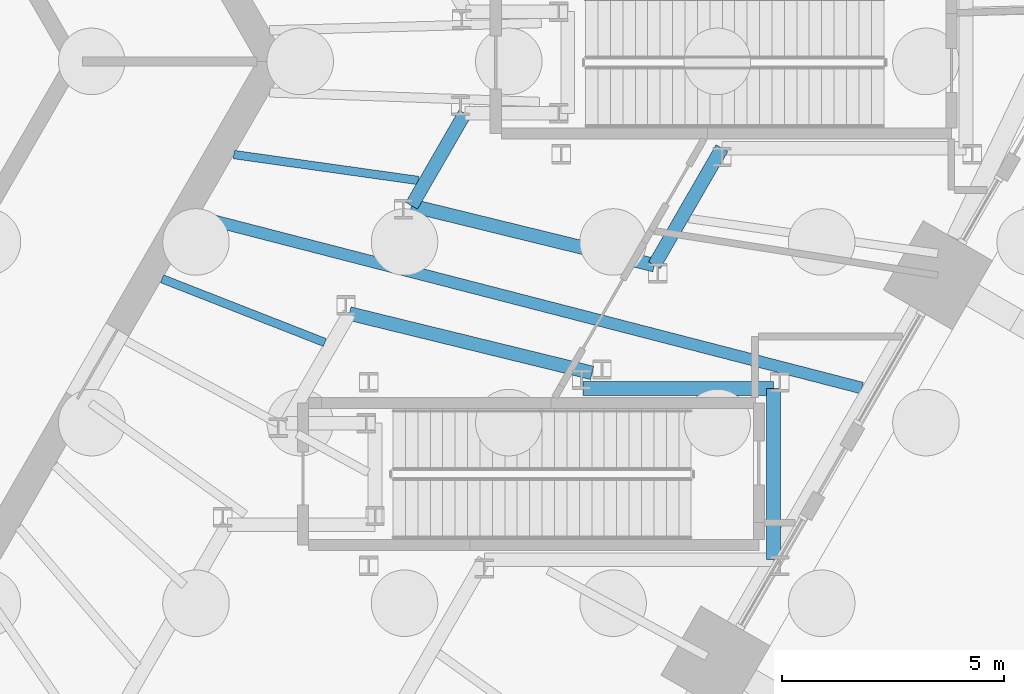
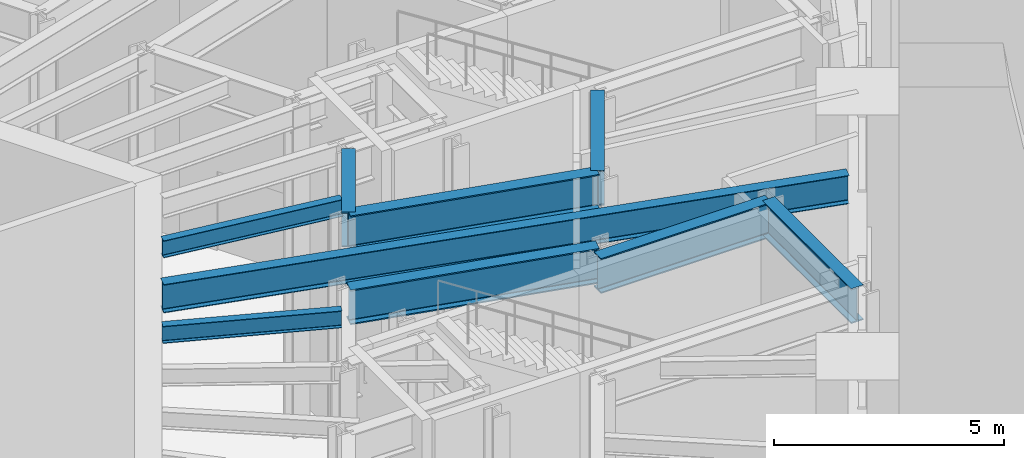
# One storey, part 8 of 43: 9 beams.
"""IFC4 building model written with IfcOpenShell, lengths in metres."""

import ifcopenshell
import ifcopenshell.guid

model = None  # the IFC model being written
_history = None  # IfcOwnerHistory: only IFC2X3 demands one
_inside = {}  # id of a spatial element -> (the spatial element, [elements in it])
_under = {}  # id of a project, library or spatial element -> (it, [spatial elements below it])
_declared = {}  # id of a project -> (the project, [libraries it declares])
_typed = {}  # id of a type object -> (the type object, [elements of that type])
_made_of = {}  # id of a material, layer set ... -> (it, [elements and type objects made of it])


def new_model(schema):
    """Start an empty IFC model of exactly this schema.

    Asked for "IFC4X3", IfcOpenShell would pick the latest addendum, in which some entities
    have other attributes; the version numbers below select the first issue.
    IFC2X3 requires an IfcOwnerHistory on every rooted entity: one is made here for all.
    """
    global model, _history
    if schema == "IFC4X3":
        model = ifcopenshell.file(schema_version=(4, 3, 0, 0))
    else:
        model = ifcopenshell.file(schema=schema)
    _inside.clear()
    _under.clear()
    _declared.clear()
    _typed.clear()
    _made_of.clear()
    _history = None
    if model.schema == "IFC2X3":
        org = make("IfcOrganization", Name="unknown")
        user = make(
            "IfcPersonAndOrganization",
            ThePerson=make("IfcPerson", FamilyName="unknown"),
            TheOrganization=org,
        )
        app = make(
            "IfcApplication",
            ApplicationDeveloper=org,
            Version="unknown",
            ApplicationFullName="unknown",
            ApplicationIdentifier="unknown",
        )
        _history = make(
            "IfcOwnerHistory",
            OwningUser=user,
            OwningApplication=app,
            ChangeAction="ADDED",
            CreationDate=0,
        )
    return model


def make(cls, **values):
    """One entity of the class cls with the attributes given. An attribute that is None is left unset."""
    return model.create_entity(
        cls, **{name: value for name, value in values.items() if value is not None}
    )


def rooted(cls, **values):
    """An entity with a GlobalId (a new one), such as an element, a storey or a relation."""
    return make(cls, GlobalId=ifcopenshell.guid.new(), OwnerHistory=_history, **values)


def si_unit(unit_type, name, prefix=None):
    """IfcSIUnit, for example si_unit("LENGTHUNIT", "METRE", prefix="MILLI")."""
    return make("IfcSIUnit", UnitType=unit_type, Prefix=prefix, Name=name)


def assignment(units):
    """IfcUnitAssignment: the units of a project."""
    return None if units is None else make("IfcUnitAssignment", Units=units)


def point(xyz):
    """IfcCartesianPoint."""
    return None if xyz is None else make("IfcCartesianPoint", Coordinates=xyz)


def direction(xyz):
    """IfcDirection."""
    return None if xyz is None else make("IfcDirection", DirectionRatios=xyz)


def frame(location, z_axis=None, x_axis=None):
    """IfcAxis2Placement3D, a coordinate frame: its origin and axes. An axis left out is left unset."""
    return make(
        "IfcAxis2Placement3D",
        Location=point(location),
        Axis=direction(z_axis),
        RefDirection=direction(x_axis),
    )


def frame_2d(location, x_axis=None):
    """IfcAxis2Placement2D, a coordinate frame in the plane: its origin and x axis."""
    return make(
        "IfcAxis2Placement2D", Location=point(location), RefDirection=direction(x_axis)
    )


def origin():
    """The frame at (0, 0, 0) with its axes left unset."""
    return frame((0.0, 0.0, 0.0))


def origin_2d():
    """The frame at (0, 0) in the plane with its x axis left unset."""
    return frame_2d((0.0, 0.0))


def place(relative_to, where):
    """IfcLocalPlacement: puts the frame where relative to a parent placement (None: the world)."""
    return make(
        "IfcLocalPlacement", PlacementRelTo=relative_to, RelativePlacement=where
    )


def context(
    kind, dimensions, precision=None, world=None, true_north=None, identifier=None
):
    """IfcGeometricRepresentationContext, for example the 3D "Model" context."""
    return make(
        "IfcGeometricRepresentationContext",
        ContextIdentifier=identifier,
        ContextType=kind,
        CoordinateSpaceDimension=dimensions,
        Precision=precision,
        WorldCoordinateSystem=world,
        TrueNorth=true_north,
    )


def subcontext(parent, identifier, kind, view, scale=None):
    """IfcGeometricRepresentationSubContext, for example "Body" below "Model"."""
    return make(
        "IfcGeometricRepresentationSubContext",
        ContextIdentifier=identifier,
        ContextType=kind,
        ParentContext=parent,
        TargetScale=scale,
        TargetView=view,
    )


def project(units=None, contexts=None):
    """IfcProject with its units and contexts."""
    return rooted(
        "IfcProject",
        Name="project",
        RepresentationContexts=contexts,
        UnitsInContext=assignment(units),
    )


def spatial(cls, under=None, at=None, **own):
    """A site, building, storey or space (cls), placed at a placement, below another one or the project."""
    s = rooted(cls, ObjectPlacement=at, **own)
    if under is not None:
        _under.setdefault(under.id(), (under, []))[1].append(s)
    return s


def profile(cls, at=None, kind="AREA", **sizes):
    """A parametric profile (cls). Its sizes go by their IFC names, for example OverallWidth=200.0."""
    return make(cls, ProfileType=kind, Position=at, **sizes)


def i_section(**sizes):
    """IfcIShapeProfileDef."""
    return profile("IfcIShapeProfileDef", **sizes)


def extrude(swept, where, along, depth):
    """IfcExtrudedAreaSolid: the profile swept, set in the frame where, extruded along a direction by depth."""
    return make(
        "IfcExtrudedAreaSolid",
        SweptArea=swept,
        Position=where,
        ExtrudedDirection=direction(along),
        Depth=depth,
    )


def shape(context_of_items, identifier, shape_type, items):
    """IfcShapeRepresentation: the items that make up one representation, for example the "Body"."""
    return make(
        "IfcShapeRepresentation",
        ContextOfItems=context_of_items,
        RepresentationIdentifier=identifier,
        RepresentationType=shape_type,
        Items=items,
    )


def material(Name=None, Category=None):
    """IfcMaterial."""
    return make("IfcMaterial", Name=Name, Category=Category)


def material_profile(
    of_material, cross_section, Name=None, Category=None, Priority=None
):
    """IfcMaterialProfile: a cross section and its material."""
    return make(
        "IfcMaterialProfile",
        Name=Name,
        Material=of_material,
        Profile=cross_section,
        Priority=Priority,
        Category=Category,
    )


def profile_set(profiles, Name=None, composite=None):
    """IfcMaterialProfileSet."""
    return make(
        "IfcMaterialProfileSet",
        Name=Name,
        MaterialProfiles=profiles,
        CompositeProfile=composite,
    )


def made_of(thing, what):
    """Note that an element or type object is made of a material, layer set ...; save() writes the relation."""
    if what is not None:
        _made_of.setdefault(what.id(), (what, []))[1].append(thing)
    return thing


def type_object(cls, material=None, **own):
    """A type object (cls), such as IfcWallType, which elements share."""
    return made_of(rooted(cls, **own), material)


def element(
    cls,
    number,
    at=None,
    inside=None,
    cuts=None,
    type_object=None,
    material=None,
    context=None,
    identifier="Body",
    shape_type=None,
    held_by="IfcProductDefinitionShape",
    body=None,
    shapes=None,
    **own,
):
    """One element of the class cls, such as IfcWall. Its Tag is "e" and its number.

    at: its placement. inside: the storey or other place that contains it. cuts: it is an
    opening in that element (IfcRelVoidsElement). A single representation is given by context,
    identifier, shape_type and body (its items); several are given by shapes. held_by: the class
    of the entity that holds the representations. save() writes the other relations.
    """
    e = rooted(cls, Tag="e%d" % number, ObjectPlacement=at, **own)
    if body is not None:
        shapes = [shape(context, identifier, shape_type, body)]
    if shapes is not None:
        e.Representation = make(held_by, Representations=shapes)
    if inside is not None:
        _inside.setdefault(inside.id(), (inside, []))[1].append(e)
    if cuts is not None:
        rooted(
            "IfcRelVoidsElement", RelatingBuildingElement=cuts, RelatedOpeningElement=e
        )
    if type_object is not None:
        _typed.setdefault(type_object.id(), (type_object, []))[1].append(e)
    return made_of(e, material)


def aggregate(whole, parts):
    """IfcRelAggregates: a whole, such as a stair, and the parts it consists of."""
    return rooted("IfcRelAggregates", RelatingObject=whole, RelatedObjects=parts)


def save(model, path):
    """Write the relations noted so far, then the file.

    IfcRelAggregates (storeys below a building ...), IfcRelContainedInSpatialStructure (elements
    in a storey), IfcRelDefinesByType, IfcRelAssociatesMaterial and IfcRelDeclares: one each for
    every whole, place, type object, material and project.
    """
    for whole, parts in _under.values():
        aggregate(whole, parts)
    for where, things in _inside.values():
        rooted(
            "IfcRelContainedInSpatialStructure",
            RelatedElements=things,
            RelatingStructure=where,
        )
    for kind, things in _typed.values():
        rooted("IfcRelDefinesByType", RelatedObjects=things, RelatingType=kind)
    for what, things in _made_of.values():
        rooted("IfcRelAssociatesMaterial", RelatedObjects=things, RelatingMaterial=what)
    for by, libraries in _declared.values():
        rooted("IfcRelDeclares", RelatingContext=by, RelatedDefinitions=libraries)
    model.write(path)


model = new_model("IFC4")

# Units and contexts
model_context = context("Model", 3, precision=1e-05, world=origin(), true_north=direction((0.0, 1.0)))
body_context = subcontext(model_context, "Body", "Model", "MODEL_VIEW")
ifc_project = project(units=[si_unit("LENGTHUNIT", "METRE"), si_unit("AREAUNIT", "SQUARE_METRE"), si_unit("VOLUMEUNIT", "CUBIC_METRE"), si_unit("PLANEANGLEUNIT", "RADIAN"), si_unit("MASSUNIT", "GRAM", prefix="KILO")], contexts=[model_context])

# Site, building, storey
site_placement = place(None, origin())
site = spatial("IfcSite", under=ifc_project, at=site_placement, CompositionType="ELEMENT")
building_placement = place(site_placement, origin())
building = spatial("IfcBuilding", under=site, at=building_placement, Name="Tarnside Tower", CompositionType="ELEMENT")
storey_placement = place(building_placement, origin())
storey = spatial("IfcBuildingStorey", under=building, at=storey_placement, Name="L00", CompositionType="ELEMENT", Elevation=0.0)

# Beams
ifc_material = material(Name="Steel S355", Category="steel")
ifc_material_profile_1 = material_profile(ifc_material, i_section(OverallWidth=0.18994140625, OverallDepth=0.453369140625, WebThickness=0.008544921875, FlangeThickness=0.0126953125, FilletRadius=0.01025390625, at=origin_2d()), Name="UB 457x191x67")
ifc_profile_set_1 = profile_set([ifc_material_profile_1], Name="Steel S355")
beam_type_1 = type_object("IfcBeamType", Name="Floor beam UB 457x191x67", PredefinedType="BEAM", material=ifc_profile_set_1)
beam_1_placement = place(storey_placement, frame((17.0029296875, -6.334716796875, 8.523193359375), z_axis=(-0.931218073208, 0.364462481103, 0.0), x_axis=(-0.364462481103, -0.931218073208, 0.0)))
element("IfcBeam", 1, at=beam_1_placement, inside=storey, type_object=beam_type_1, Name="Floor beam F5.06", PredefinedType="BEAM", context=body_context, shape_type="SweptSolid", body=[
    extrude(i_section(OverallWidth=0.18994140625, OverallDepth=0.453369140625, WebThickness=0.008544921875, FlangeThickness=0.0126953125, FilletRadius=0.01025390625, at=origin_2d()), origin(), (0.0, 0.0, 1.0), 3.936767578125),
])
beam_2_placement = place(storey_placement, frame((19.110595703125, -2.684326171875, 8.523193359375), z_axis=(-0.990269105307, 0.139165725217, 0.0), x_axis=(-0.139165725217, -0.990269105307, 0.0)))
element("IfcBeam", 2, at=beam_2_placement, inside=storey, type_object=beam_type_1, Name="Floor beam F5.08b", PredefinedType="BEAM", context=body_context, shape_type="SweptSolid", body=[
    extrude(i_section(OverallWidth=0.18994140625, OverallDepth=0.453369140625, WebThickness=0.008544921875, FlangeThickness=0.0126953125, FilletRadius=0.01025390625, at=origin_2d()), origin(), (0.0, 0.0, 1.0), 4.197998046875),
])
ifc_material_profile_2 = material_profile(ifc_material, i_section(OverallWidth=0.26513671875, OverallDepth=0.75390625, WebThickness=0.0126953125, FlangeThickness=0.017578125, FilletRadius=0.0166015625, at=origin_2d()), Name="UB 762x267x147")
ifc_profile_set_2 = profile_set([ifc_material_profile_2], Name="Steel S355")
beam_type_2 = type_object("IfcBeamType", Name="Floor beam UB 762x267x147", PredefinedType="BEAM", material=ifc_profile_set_2)
beam_3_placement = place(storey_placement, frame((29.108642578125, -7.36181640625, 8.373046875), z_axis=(-0.968273624565, 0.249892352766, 0.0), x_axis=(-0.249892352766, -0.968273624565, 0.0)))
element("IfcBeam", 3, at=beam_3_placement, inside=storey, type_object=beam_type_2, Name="Floor beam F5.07", PredefinedType="BEAM", context=body_context, shape_type="SweptSolid", body=[
    extrude(i_section(OverallWidth=0.26513671875, OverallDepth=0.75390625, WebThickness=0.0126953125, FlangeThickness=0.017578125, FilletRadius=0.0166015625, at=origin_2d()), origin(), (0.0, 0.0, 1.0), 15.453857421875),
])
ifc_material_profile_3 = material_profile(ifc_material, i_section(OverallWidth=0.3076171875, OverallDepth=0.926513671875, WebThickness=0.01953125, FlangeThickness=0.031982421875, FilletRadius=0.01904296875, at=origin_2d()), Name="UB 914x305x289")
ifc_profile_set_3 = profile_set([ifc_material_profile_3], Name="Steel S355")
beam_type_3 = type_object("IfcBeamType", Name="Perimeter girder UB 914x305x289", PredefinedType="BEAM", material=ifc_profile_set_3)
beam_4_placement = place(storey_placement, frame((25.9541015625, -1.953857421875, 8.28662109375), z_axis=(-0.499974494645, -0.866040128807, 0.0), x_axis=(0.866040128807, -0.499974494645, 0.0)))
element("IfcBeam", 4, at=beam_4_placement, inside=storey, type_object=beam_type_3, Name="Perimeter girder T8", PredefinedType="BEAM", context=body_context, shape_type="SweptSolid", body=[
    extrude(i_section(OverallWidth=0.3076171875, OverallDepth=0.926513671875, WebThickness=0.01953125, FlangeThickness=0.031982421875, FilletRadius=0.01904296875, at=origin_2d()), origin(), (0.0, 0.0, 1.0), 3.046630859375),
])
beam_5_placement = place(storey_placement, frame((24.430908203125, -4.59228515625, 8.28662109375), z_axis=(-0.971341437505, 0.237688476341, 0.0), x_axis=(-0.237688476341, -0.971341437505, 0.0)))
element("IfcBeam", 5, at=beam_5_placement, inside=storey, type_object=beam_type_3, Name="Perimeter girder T9", PredefinedType="BEAM", context=body_context, shape_type="SweptSolid", body=[
    extrude(i_section(OverallWidth=0.3076171875, OverallDepth=0.926513671875, WebThickness=0.01953125, FlangeThickness=0.031982421875, FilletRadius=0.01904296875, at=origin_2d()), origin(), (0.0, 0.0, 1.0), 5.6328125),
])
beam_6_placement = place(storey_placement, frame((18.95947265625, -3.25341796875, 8.28662109375), z_axis=(0.499983211839, 0.866035096217, 0.0), x_axis=(-0.866035096217, 0.499983211839, 0.0)))
element("IfcBeam", 6, at=beam_6_placement, inside=storey, type_object=beam_type_3, Name="Perimeter girder T10", PredefinedType="BEAM", context=body_context, shape_type="SweptSolid", body=[
    extrude(i_section(OverallWidth=0.3076171875, OverallDepth=0.926513671875, WebThickness=0.01953125, FlangeThickness=0.031982421875, FilletRadius=0.01904296875, at=origin_2d()), origin(), (0.0, 0.0, 1.0), 2.404296875),
])
beam_7_placement = place(storey_placement, frame((17.557373046875, -5.68212890625, 8.28662109375), z_axis=(0.971338988699, -0.237698483446, 0.0), x_axis=(0.237698483446, 0.971338988699, 0.0)))
element("IfcBeam", 7, at=beam_7_placement, inside=storey, type_object=beam_type_3, Name="Perimeter girder T14", PredefinedType="BEAM", context=body_context, shape_type="SweptSolid", body=[
    extrude(i_section(OverallWidth=0.3076171875, OverallDepth=0.926513671875, WebThickness=0.01953125, FlangeThickness=0.031982421875, FilletRadius=0.01904296875, at=origin_2d()), origin(), (0.0, 0.0, 1.0), 5.632568359375),
])
beam_8_placement = place(storey_placement, frame((22.826416015625, -7.37109375, 8.28662109375), z_axis=(1.0, 0.0, 0.0), x_axis=(0.0, 1.0, 0.0)))
element("IfcBeam", 8, at=beam_8_placement, inside=storey, type_object=beam_type_3, Name="Perimeter girder T15", PredefinedType="BEAM", context=body_context, shape_type="SweptSolid", body=[
    extrude(i_section(OverallWidth=0.3076171875, OverallDepth=0.926513671875, WebThickness=0.01953125, FlangeThickness=0.031982421875, FilletRadius=0.01904296875, at=origin_2d()), origin(), (0.0, 0.0, 1.0), 4.287353515625),
])
beam_9_placement = place(storey_placement, frame((27.11376953125, -7.37109375, 8.28662109375), z_axis=(0.0, -1.0, 0.0), x_axis=(1.0, 0.0, 0.0)))
element("IfcBeam", 9, at=beam_9_placement, inside=storey, type_object=beam_type_3, Name="Perimeter girder T16", PredefinedType="BEAM", context=body_context, shape_type="SweptSolid", body=[
    extrude(i_section(OverallWidth=0.3076171875, OverallDepth=0.926513671875, WebThickness=0.01953125, FlangeThickness=0.031982421875, FilletRadius=0.01904296875, at=origin_2d()), origin(), (0.0, 0.0, 1.0), 3.857666015625),
])

save(model, "model.ifc")
